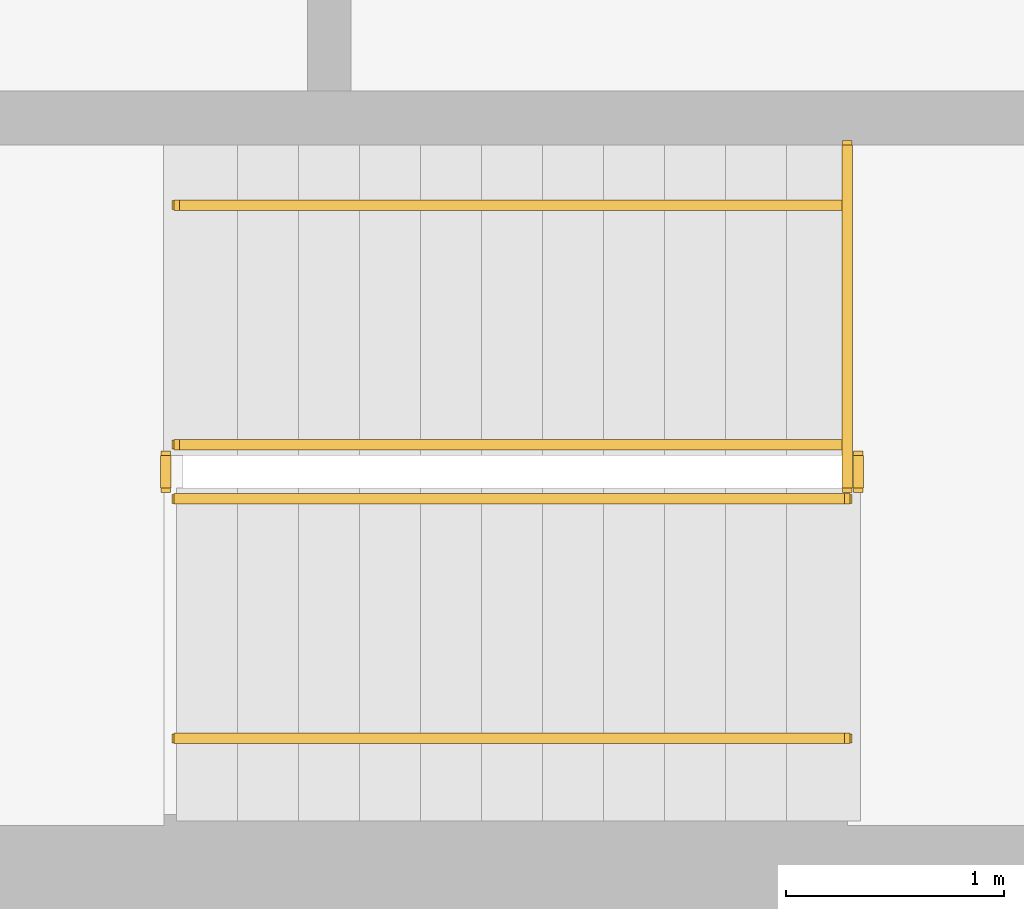
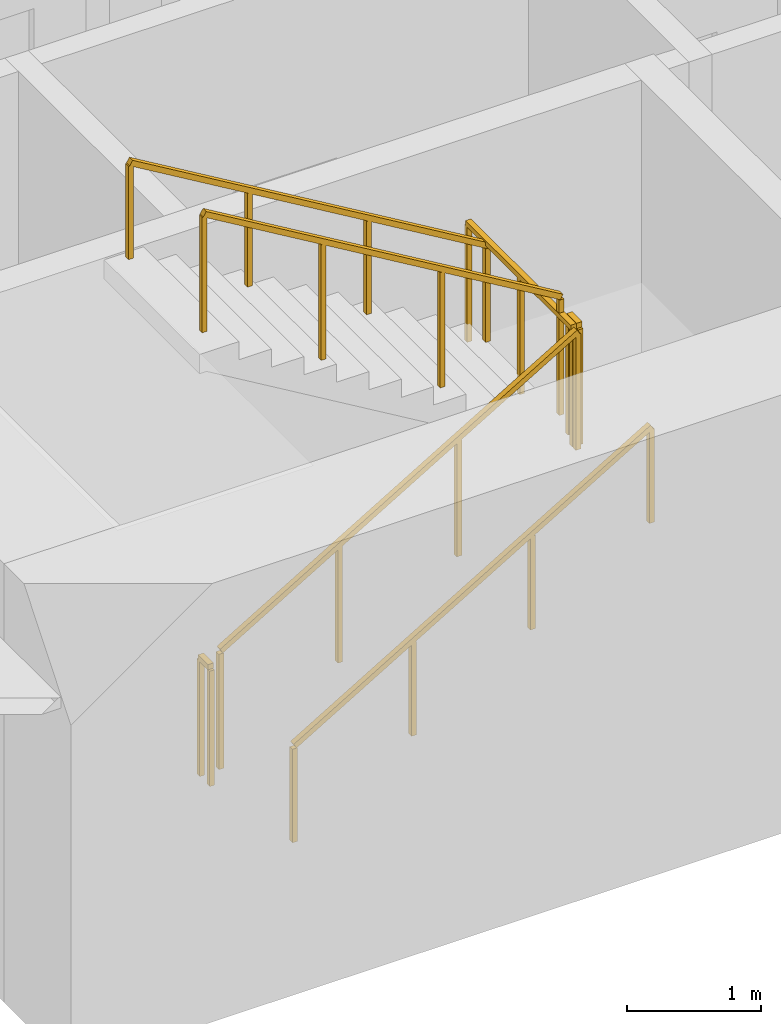
# One storey, part 13 of 16: 7 railings.
"""IFC4 building model written with IfcOpenShell, lengths in metres."""

from ifc_helpers import new_model, si_unit, direction, frame, origin, origin_2d, place, context, subcontext, project, spatial, rectangle, extrude, material, type_object, element, save


model = new_model("IFC4")

# Units and contexts
model_context = context("Model", 3, precision=1e-05, world=origin(), true_north=direction((0.0, 1.0)))
body_context = subcontext(model_context, "Body", "Model", "MODEL_VIEW")
ifc_project = project(units=[si_unit("LENGTHUNIT", "METRE"), si_unit("AREAUNIT", "SQUARE_METRE"), si_unit("VOLUMEUNIT", "CUBIC_METRE"), si_unit("PLANEANGLEUNIT", "RADIAN"), si_unit("MASSUNIT", "GRAM", prefix="KILO")], contexts=[model_context])

# Site, building, storey
site_placement = place(None, origin())
site = spatial("IfcSite", under=ifc_project, at=site_placement, CompositionType="ELEMENT")
building_placement = place(site_placement, origin())
building = spatial("IfcBuilding", under=site, at=building_placement, Name="Sennacour Bend Tower", CompositionType="ELEMENT")
storey_placement = place(building_placement, frame((0.0, 0.0, 163.0)))
storey = spatial("IfcBuildingStorey", under=building, at=storey_placement, Name="L37", CompositionType="ELEMENT", Elevation=163.0)

# Railings
ifc_material = material(Name="Stainless steel", Category="steel")
railing_type_1 = type_object("IfcRailingType", Name="RL-GUARD-1100", PredefinedType="GUARDRAIL", material=ifc_material)
railing_1_placement = place(storey_placement, frame((56.699951171875, 2.449951171875, 0.166748046875)))
element("IfcRailing", 1, at=railing_1_placement, inside=storey, type_object=railing_type_1, Name="L37 SA1 stair guard 1", PredefinedType="GUARDRAIL", context=body_context, shape_type="SweptSolid", body=[
    extrude(rectangle(XDim=0.048095703125, YDim=0.048095703125, at=origin_2d()), frame((0.0, 0.0, 1.076171875), z_axis=(0.859308565015, 0.0, 0.511457515432), x_axis=(0.0, 1.0, 0.0)), (0.0, 0.0, 1.0), 3.58447265625),
    extrude(rectangle(XDim=0.0419921875, YDim=0.0419921875, at=origin_2d()), origin(), (0.0, 0.0, 1.0), 1.052001953125),
    extrude(rectangle(XDim=0.0419921875, YDim=0.0419921875, at=origin_2d()), frame((1.026611328125, 0.0, 0.611083984375)), (0.0, 0.0, 1.0), 1.052001953125),
    extrude(rectangle(XDim=0.0419921875, YDim=0.0419921875, at=origin_2d()), frame((2.053466796875, 0.0, 1.22216796875)), (0.0, 0.0, 1.0), 1.052001953125),
    extrude(rectangle(XDim=0.0419921875, YDim=0.0419921875, at=origin_2d()), frame((3.080078125, 0.0, 1.833251953125)), (0.0, 0.0, 1.0), 1.052001953125),
])
railing_2_placement = place(storey_placement, frame((59.830078125, 2.5, 2.0)))
element("IfcRailing", 2, at=railing_2_placement, inside=storey, type_object=railing_type_1, Name="L37 SA1 stair guard 2", PredefinedType="GUARDRAIL", context=body_context, shape_type="SweptSolid", body=[
    extrude(rectangle(XDim=0.048095703125, YDim=0.048095703125, at=origin_2d()), frame((0.0, 0.0, 1.076171875), z_axis=(0.0, 1.0, 0.0), x_axis=(-1.0, 0.0, 0.0)), (0.0, 0.0, 1.0), 0.14990234375),
    extrude(rectangle(XDim=0.0419921875, YDim=0.0419921875, at=origin_2d()), origin(), (0.0, 0.0, 1.0), 1.052001953125),
    extrude(rectangle(XDim=0.0419921875, YDim=0.0419921875, at=origin_2d()), frame((0.0, 0.14990234375, 0.0)), (0.0, 0.0, 1.0), 1.052001953125),
])
railing_3_placement = place(storey_placement, frame((59.780029296875, 2.699951171875, 2.166748046875)))
element("IfcRailing", 3, at=railing_3_placement, inside=storey, type_object=railing_type_1, Name="L37 SA1 stair guard 4", PredefinedType="GUARDRAIL", context=body_context, shape_type="SweptSolid", body=[
    extrude(rectangle(XDim=0.048095703125, YDim=0.048095703125, at=origin_2d()), frame((0.0, 0.0, 1.076171875), z_axis=(-0.859308565015, 0.0, 0.511457515432), x_axis=(0.0, -1.0, 0.0)), (0.0, 0.0, 1.0), 3.58447265625),
    extrude(rectangle(XDim=0.0419921875, YDim=0.0419921875, at=origin_2d()), origin(), (0.0, 0.0, 1.0), 1.052001953125),
    extrude(rectangle(XDim=0.0419921875, YDim=0.0419921875, at=origin_2d()), frame((-1.026611328125, 0.0, 0.611083984375)), (0.0, 0.0, 1.0), 1.052001953125),
    extrude(rectangle(XDim=0.0419921875, YDim=0.0419921875, at=origin_2d()), frame((-2.053466796875, 0.0, 1.22216796875)), (0.0, 0.0, 1.0), 1.052001953125),
    extrude(rectangle(XDim=0.0419921875, YDim=0.0419921875, at=origin_2d()), frame((-3.080078125, 0.0, 1.833251953125)), (0.0, 0.0, 1.0), 1.052001953125),
])
railing_4_placement = place(storey_placement, frame((56.64990234375, 2.5, 0.0)))
element("IfcRailing", 4, at=railing_4_placement, inside=storey, type_object=railing_type_1, Name="L37 SA1 stair guard 5", PredefinedType="GUARDRAIL", context=body_context, shape_type="SweptSolid", body=[
    extrude(rectangle(XDim=0.048095703125, YDim=0.048095703125, at=origin_2d()), frame((0.0, 0.0, 1.076171875), z_axis=(0.0, 1.0, 0.0), x_axis=(-1.0, 0.0, 0.0)), (0.0, 0.0, 1.0), 0.14990234375),
    extrude(rectangle(XDim=0.0419921875, YDim=0.0419921875, at=origin_2d()), origin(), (0.0, 0.0, 1.0), 1.052001953125),
    extrude(rectangle(XDim=0.0419921875, YDim=0.0419921875, at=origin_2d()), frame((0.0, 0.14990234375, 0.0)), (0.0, 0.0, 1.0), 1.052001953125),
])
railing_5_placement = place(storey_placement, frame((59.780029296875, 2.5, 2.0)))
element("IfcRailing", 5, at=railing_5_placement, inside=storey, type_object=railing_type_1, Name="L37 SA1 landing edge guard 57", PredefinedType="GUARDRAIL", context=body_context, shape_type="SweptSolid", body=[
    extrude(rectangle(XDim=0.048095703125, YDim=0.048095703125, at=origin_2d()), frame((0.0, 0.0, 1.076171875), z_axis=(0.0, 1.0, 0.0), x_axis=(-1.0, 0.0, 0.0)), (0.0, 0.0, 1.0), 1.574951171875),
    extrude(rectangle(XDim=0.0419921875, YDim=0.0419921875, at=origin_2d()), origin(), (0.0, 0.0, 1.0), 1.052001953125),
    extrude(rectangle(XDim=0.0419921875, YDim=0.0419921875, at=origin_2d()), frame((0.0, 0.78759765625, 0.0)), (0.0, 0.0, 1.0), 1.052001953125),
    extrude(rectangle(XDim=0.0419921875, YDim=0.0419921875, at=origin_2d()), frame((0.0, 1.574951171875, 0.0)), (0.0, 0.0, 1.0), 1.052001953125),
])
railing_type_2 = type_object("IfcRailingType", Name="RL-HANDRAIL-900", PredefinedType="HANDRAIL", material=ifc_material)
railing_6_placement = place(storey_placement, frame((56.699951171875, 1.35009765625, 0.166748046875)))
element("IfcRailing", 6, at=railing_6_placement, inside=storey, type_object=railing_type_2, Name="L37 SA1 stair handrail 1", PredefinedType="HANDRAIL", context=body_context, shape_type="SweptSolid", body=[
    extrude(rectangle(XDim=0.048095703125, YDim=0.048095703125, at=origin_2d()), frame((0.0, 0.0, 0.8759765625), z_axis=(0.859308565015, 0.0, 0.511457515432), x_axis=(0.0, 1.0, 0.0)), (0.0, 0.0, 1.0), 3.58447265625),
    extrude(rectangle(XDim=0.0419921875, YDim=0.0419921875, at=origin_2d()), origin(), (0.0, 0.0, 1.0), 0.851806640625),
    extrude(rectangle(XDim=0.0419921875, YDim=0.0419921875, at=origin_2d()), frame((1.026611328125, 0.0, 0.611083984375)), (0.0, 0.0, 1.0), 0.851806640625),
    extrude(rectangle(XDim=0.0419921875, YDim=0.0419921875, at=origin_2d()), frame((2.053466796875, 0.0, 1.22216796875)), (0.0, 0.0, 1.0), 0.851806640625),
    extrude(rectangle(XDim=0.0419921875, YDim=0.0419921875, at=origin_2d()), frame((3.080078125, 0.0, 1.833251953125)), (0.0, 0.0, 1.0), 0.851806640625),
])
railing_7_placement = place(storey_placement, frame((59.780029296875, 3.800048828125, 2.166748046875)))
element("IfcRailing", 7, at=railing_7_placement, inside=storey, type_object=railing_type_2, Name="L37 SA1 stair handrail 2", PredefinedType="HANDRAIL", context=body_context, shape_type="SweptSolid", body=[
    extrude(rectangle(XDim=0.048095703125, YDim=0.048095703125, at=origin_2d()), frame((0.0, 0.0, 0.8759765625), z_axis=(-0.859308565015, 0.0, 0.511457515432), x_axis=(0.0, -1.0, 0.0)), (0.0, 0.0, 1.0), 3.58447265625),
    extrude(rectangle(XDim=0.0419921875, YDim=0.0419921875, at=origin_2d()), origin(), (0.0, 0.0, 1.0), 0.851806640625),
    extrude(rectangle(XDim=0.0419921875, YDim=0.0419921875, at=origin_2d()), frame((-1.026611328125, 0.0, 0.611083984375)), (0.0, 0.0, 1.0), 0.851806640625),
    extrude(rectangle(XDim=0.0419921875, YDim=0.0419921875, at=origin_2d()), frame((-2.053466796875, 0.0, 1.22216796875)), (0.0, 0.0, 1.0), 0.851806640625),
    extrude(rectangle(XDim=0.0419921875, YDim=0.0419921875, at=origin_2d()), frame((-3.080078125, 0.0, 1.833251953125)), (0.0, 0.0, 1.0), 0.851806640625),
])

save(model, "model.ifc")
